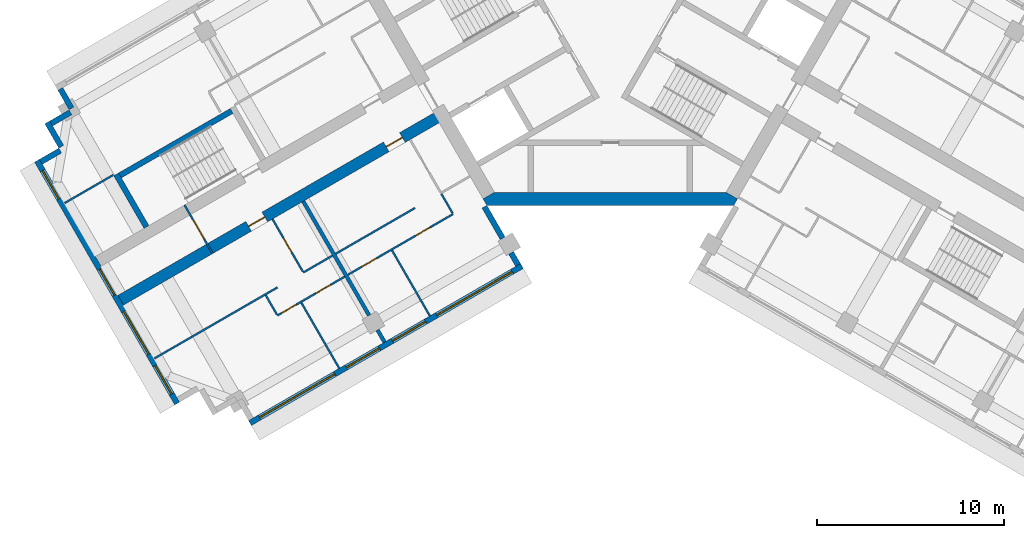
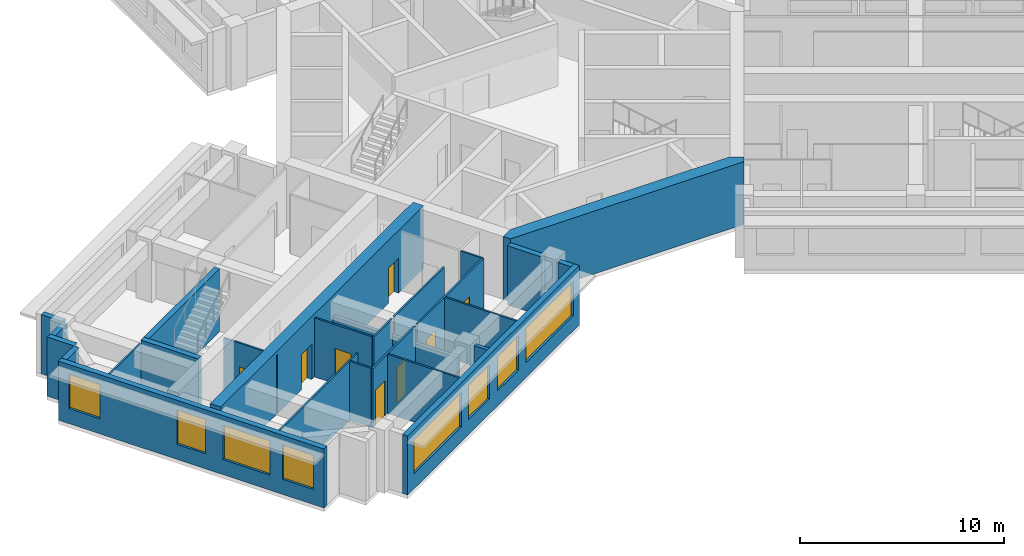
# One storey, part 2 of 10: 26 walls, 8 doors, 8 windows, 16 openings.
"""IFC4 building model written with IfcOpenShell, lengths in metres."""

import ifcopenshell
import ifcopenshell.guid

model = None  # the IFC model being written
_history = None  # IfcOwnerHistory: only IFC2X3 demands one
_inside = {}  # id of a spatial element -> (the spatial element, [elements in it])
_under = {}  # id of a project, library or spatial element -> (it, [spatial elements below it])
_declared = {}  # id of a project -> (the project, [libraries it declares])
_typed = {}  # id of a type object -> (the type object, [elements of that type])
_made_of = {}  # id of a material, layer set ... -> (it, [elements and type objects made of it])


def new_model(schema):
    """Start an empty IFC model of exactly this schema.

    Asked for "IFC4X3", IfcOpenShell would pick the latest addendum, in which some entities
    have other attributes; the version numbers below select the first issue.
    IFC2X3 requires an IfcOwnerHistory on every rooted entity: one is made here for all.
    """
    global model, _history
    if schema == "IFC4X3":
        model = ifcopenshell.file(schema_version=(4, 3, 0, 0))
    else:
        model = ifcopenshell.file(schema=schema)
    _inside.clear()
    _under.clear()
    _declared.clear()
    _typed.clear()
    _made_of.clear()
    _history = None
    if model.schema == "IFC2X3":
        org = make("IfcOrganization", Name="unknown")
        user = make(
            "IfcPersonAndOrganization",
            ThePerson=make("IfcPerson", FamilyName="unknown"),
            TheOrganization=org,
        )
        app = make(
            "IfcApplication",
            ApplicationDeveloper=org,
            Version="unknown",
            ApplicationFullName="unknown",
            ApplicationIdentifier="unknown",
        )
        _history = make(
            "IfcOwnerHistory",
            OwningUser=user,
            OwningApplication=app,
            ChangeAction="ADDED",
            CreationDate=0,
        )
    return model


def make(cls, **values):
    """One entity of the class cls with the attributes given. An attribute that is None is left unset."""
    return model.create_entity(
        cls, **{name: value for name, value in values.items() if value is not None}
    )


def rooted(cls, **values):
    """An entity with a GlobalId (a new one), such as an element, a storey or a relation."""
    return make(cls, GlobalId=ifcopenshell.guid.new(), OwnerHistory=_history, **values)


def si_unit(unit_type, name, prefix=None):
    """IfcSIUnit, for example si_unit("LENGTHUNIT", "METRE", prefix="MILLI")."""
    return make("IfcSIUnit", UnitType=unit_type, Prefix=prefix, Name=name)


def assignment(units):
    """IfcUnitAssignment: the units of a project."""
    return None if units is None else make("IfcUnitAssignment", Units=units)


def point(xyz):
    """IfcCartesianPoint."""
    return None if xyz is None else make("IfcCartesianPoint", Coordinates=xyz)


def direction(xyz):
    """IfcDirection."""
    return None if xyz is None else make("IfcDirection", DirectionRatios=xyz)


def frame(location, z_axis=None, x_axis=None):
    """IfcAxis2Placement3D, a coordinate frame: its origin and axes. An axis left out is left unset."""
    return make(
        "IfcAxis2Placement3D",
        Location=point(location),
        Axis=direction(z_axis),
        RefDirection=direction(x_axis),
    )


def frame_2d(location, x_axis=None):
    """IfcAxis2Placement2D, a coordinate frame in the plane: its origin and x axis."""
    return make(
        "IfcAxis2Placement2D", Location=point(location), RefDirection=direction(x_axis)
    )


def origin():
    """The frame at (0, 0, 0) with its axes left unset."""
    return frame((0.0, 0.0, 0.0))


def place(relative_to, where):
    """IfcLocalPlacement: puts the frame where relative to a parent placement (None: the world)."""
    return make(
        "IfcLocalPlacement", PlacementRelTo=relative_to, RelativePlacement=where
    )


def context(
    kind, dimensions, precision=None, world=None, true_north=None, identifier=None
):
    """IfcGeometricRepresentationContext, for example the 3D "Model" context."""
    return make(
        "IfcGeometricRepresentationContext",
        ContextIdentifier=identifier,
        ContextType=kind,
        CoordinateSpaceDimension=dimensions,
        Precision=precision,
        WorldCoordinateSystem=world,
        TrueNorth=true_north,
    )


def subcontext(parent, identifier, kind, view, scale=None):
    """IfcGeometricRepresentationSubContext, for example "Body" below "Model"."""
    return make(
        "IfcGeometricRepresentationSubContext",
        ContextIdentifier=identifier,
        ContextType=kind,
        ParentContext=parent,
        TargetScale=scale,
        TargetView=view,
    )


def project(units=None, contexts=None):
    """IfcProject with its units and contexts."""
    return rooted(
        "IfcProject",
        Name="project",
        RepresentationContexts=contexts,
        UnitsInContext=assignment(units),
    )


def spatial(cls, under=None, at=None, **own):
    """A site, building, storey or space (cls), placed at a placement, below another one or the project."""
    s = rooted(cls, ObjectPlacement=at, **own)
    if under is not None:
        _under.setdefault(under.id(), (under, []))[1].append(s)
    return s


def polyline(points):
    """IfcPolyline through the points."""
    return make("IfcPolyline", Points=[point(p) for p in points])


def profile(cls, at=None, kind="AREA", **sizes):
    """A parametric profile (cls). Its sizes go by their IFC names, for example OverallWidth=200.0."""
    return make(cls, ProfileType=kind, Position=at, **sizes)


def rectangle(**sizes):
    """IfcRectangleProfileDef."""
    return profile("IfcRectangleProfileDef", **sizes)


def outline(outer, holes=None, kind="AREA"):
    """IfcArbitraryClosedProfileDef: a profile drawn as a closed curve; with holes, ...WithVoids."""
    if holes is None:
        return make("IfcArbitraryClosedProfileDef", ProfileType=kind, OuterCurve=outer)
    return make(
        "IfcArbitraryProfileDefWithVoids",
        ProfileType=kind,
        OuterCurve=outer,
        InnerCurves=holes,
    )


def extrude(swept, where, along, depth):
    """IfcExtrudedAreaSolid: the profile swept, set in the frame where, extruded along a direction by depth."""
    return make(
        "IfcExtrudedAreaSolid",
        SweptArea=swept,
        Position=where,
        ExtrudedDirection=direction(along),
        Depth=depth,
    )


def shape(context_of_items, identifier, shape_type, items):
    """IfcShapeRepresentation: the items that make up one representation, for example the "Body"."""
    return make(
        "IfcShapeRepresentation",
        ContextOfItems=context_of_items,
        RepresentationIdentifier=identifier,
        RepresentationType=shape_type,
        Items=items,
    )


def material(Name=None, Category=None):
    """IfcMaterial."""
    return make("IfcMaterial", Name=Name, Category=Category)


def layer(
    of_material, thickness, ventilated=None, Name=None, Category=None, Priority=None
):
    """IfcMaterialLayer: one layer of a wall or slab, of a material (None: an air gap)."""
    return make(
        "IfcMaterialLayer",
        Material=of_material,
        LayerThickness=thickness,
        IsVentilated=ventilated,
        Name=Name,
        Category=Category,
        Priority=Priority,
    )


def layer_set(layers, Name=None):
    """IfcMaterialLayerSet."""
    return make("IfcMaterialLayerSet", MaterialLayers=layers, LayerSetName=Name)


def made_of(thing, what):
    """Note that an element or type object is made of a material, layer set ...; save() writes the relation."""
    if what is not None:
        _made_of.setdefault(what.id(), (what, []))[1].append(thing)
    return thing


def type_object(cls, material=None, **own):
    """A type object (cls), such as IfcWallType, which elements share."""
    return made_of(rooted(cls, **own), material)


def element(
    cls,
    number,
    at=None,
    inside=None,
    cuts=None,
    type_object=None,
    material=None,
    context=None,
    identifier="Body",
    shape_type=None,
    held_by="IfcProductDefinitionShape",
    body=None,
    shapes=None,
    **own,
):
    """One element of the class cls, such as IfcWall. Its Tag is "e" and its number.

    at: its placement. inside: the storey or other place that contains it. cuts: it is an
    opening in that element (IfcRelVoidsElement). A single representation is given by context,
    identifier, shape_type and body (its items); several are given by shapes. held_by: the class
    of the entity that holds the representations. save() writes the other relations.
    """
    e = rooted(cls, Tag="e%d" % number, ObjectPlacement=at, **own)
    if body is not None:
        shapes = [shape(context, identifier, shape_type, body)]
    if shapes is not None:
        e.Representation = make(held_by, Representations=shapes)
    if inside is not None:
        _inside.setdefault(inside.id(), (inside, []))[1].append(e)
    if cuts is not None:
        rooted(
            "IfcRelVoidsElement", RelatingBuildingElement=cuts, RelatedOpeningElement=e
        )
    if type_object is not None:
        _typed.setdefault(type_object.id(), (type_object, []))[1].append(e)
    return made_of(e, material)


def fill(opening, filler):
    """IfcRelFillsElement: the door or window that sits in an opening."""
    return rooted(
        "IfcRelFillsElement",
        RelatingOpeningElement=opening,
        RelatedBuildingElement=filler,
    )


def aggregate(whole, parts):
    """IfcRelAggregates: a whole, such as a stair, and the parts it consists of."""
    return rooted("IfcRelAggregates", RelatingObject=whole, RelatedObjects=parts)


def save(model, path):
    """Write the relations noted so far, then the file.

    IfcRelAggregates (storeys below a building ...), IfcRelContainedInSpatialStructure (elements
    in a storey), IfcRelDefinesByType, IfcRelAssociatesMaterial and IfcRelDeclares: one each for
    every whole, place, type object, material and project.
    """
    for whole, parts in _under.values():
        aggregate(whole, parts)
    for where, things in _inside.values():
        rooted(
            "IfcRelContainedInSpatialStructure",
            RelatedElements=things,
            RelatingStructure=where,
        )
    for kind, things in _typed.values():
        rooted("IfcRelDefinesByType", RelatedObjects=things, RelatingType=kind)
    for what, things in _made_of.values():
        rooted("IfcRelAssociatesMaterial", RelatedObjects=things, RelatingMaterial=what)
    for by, libraries in _declared.values():
        rooted("IfcRelDeclares", RelatingContext=by, RelatedDefinitions=libraries)
    model.write(path)


model = new_model("IFC4")

# Units and contexts
model_context = context("Model", 3, precision=1e-05, world=origin(), true_north=direction((0.0, 1.0)))
body_context = subcontext(model_context, "Body", "Model", "MODEL_VIEW")
ifc_project = project(units=[si_unit("LENGTHUNIT", "METRE"), si_unit("AREAUNIT", "SQUARE_METRE"), si_unit("VOLUMEUNIT", "CUBIC_METRE"), si_unit("PLANEANGLEUNIT", "RADIAN"), si_unit("MASSUNIT", "GRAM", prefix="KILO")], contexts=[model_context])

# Site, building, storey
site_placement = place(None, origin())
site = spatial("IfcSite", under=ifc_project, at=site_placement, CompositionType="ELEMENT")
building_placement = place(site_placement, origin())
building = spatial("IfcBuilding", under=site, at=building_placement, Name="Impinga Residences", CompositionType="ELEMENT")
storey_placement = place(building_placement, frame((0.0, 0.0, 229.75)))
storey = spatial("IfcBuildingStorey", under=building, at=storey_placement, Name="L57", CompositionType="ELEMENT", Elevation=229.75)

# Wall, openings, doors
ifc_material_1 = material(Name="Concrete C60/75", Category="concrete")
ifc_layer_1 = layer(ifc_material_1, 0.60009765625)
ifc_layer_set_1 = layer_set([ifc_layer_1], Name="Concrete C60/75")
wall_type_1 = type_object("IfcWallType", Name="BW3 corridor buttress wall, L46 to L73 600", PredefinedType="SHEAR", material=ifc_layer_set_1)
wall_1_placement = place(storey_placement, frame((-8.996826171875, -6.580078125, 0.0), z_axis=(0.0, 0.0, 1.0), x_axis=(-0.866030540451, -0.499991102927, 0.0)))
wall_1 = element("IfcWall", 1, at=wall_1_placement, inside=storey, type_object=wall_type_1, Name="Corridor wall BW3 WC L57", PredefinedType="SHEAR", context=body_context, shape_type="SweptSolid", body=[
    extrude(rectangle(XDim=19.849853515625, YDim=0.60009765625, at=frame_2d((9.9248046875, 0.0))), origin(), (0.0, 0.0, 1.0), 3.75),
])
opening_1_placement = place(wall_1_placement, frame((2.449951171875, 0.0, 0.0)))
opening_1 = element("IfcOpeningElement", 2, at=opening_1_placement, cuts=wall_1, Name="Opening D1", PredefinedType="OPENING", context=body_context, shape_type="SweptSolid", body=[
    extrude(rectangle(XDim=1.0, YDim=2.10009765625, at=frame_2d((0.5, 1.050048828125))), frame((0.0, 0.31005859375, 0.0), z_axis=(0.0, -1.0, 0.0), x_axis=(1.0, 0.0, 0.0)), (0.0, 0.0, 1.0), 0.6201171875),
])
opening_2_placement = place(wall_1_placement, frame((10.949951171875, 0.0, 0.0)))
opening_2 = element("IfcOpeningElement", 3, at=opening_2_placement, cuts=wall_1, Name="Opening D1", PredefinedType="OPENING", context=body_context, shape_type="SweptSolid", body=[
    extrude(rectangle(XDim=1.0, YDim=2.10009765625, at=frame_2d((0.5, 1.050048828125))), frame((0.0, 0.31005859375, 0.0), z_axis=(0.0, -1.0, 0.0), x_axis=(1.0, 0.0, 0.0)), (0.0, 0.0, 1.0), 0.6201171875),
])
ifc_material_2 = material(Name="Timber door set", Category="wood")
door_type_1 = type_object("IfcDoorType", Name="D1 apartment entrance door 1000x2100", OperationType="SINGLE_SWING_LEFT", PredefinedType="DOOR", material=ifc_material_2)
door_1_placement = place(opening_1_placement, origin())
door_1 = element("IfcDoor", 4, at=door_1_placement, inside=storey, type_object=door_type_1, Name="Apartment L57-WA1 entrance", OperationType="SINGLE_SWING_LEFT", OverallHeight=2.10009765625, OverallWidth=1.0, PredefinedType="DOOR", context=body_context, shape_type="SweptSolid", body=[
    extrude(rectangle(XDim=1.0, YDim=2.10009765625, at=frame_2d((0.5, 1.050048828125))), frame((0.0, 0.02490234375, 0.0), z_axis=(0.0, -1.0, 0.0), x_axis=(1.0, 0.0, 0.0)), (0.0, 0.0, 1.0), 0.050048828125),
])
fill(opening_1, door_1)
door_2_placement = place(opening_2_placement, origin())
door_2 = element("IfcDoor", 5, at=door_2_placement, inside=storey, type_object=door_type_1, Name="Apartment L57-WA2 entrance", OperationType="SINGLE_SWING_RIGHT", OverallHeight=2.10009765625, OverallWidth=1.0, PredefinedType="DOOR", context=body_context, shape_type="SweptSolid", body=[
    extrude(rectangle(XDim=1.0, YDim=2.10009765625, at=frame_2d((0.5, 1.050048828125))), frame((0.0, 0.02490234375, 0.0), z_axis=(0.0, -1.0, 0.0), x_axis=(1.0, 0.0, 0.0)), (0.0, 0.0, 1.0), 0.050048828125),
])
fill(opening_2, door_2)

# Wall, opening, door
ifc_material_3 = material(Name="Concrete blockwork", Category="masonry")
ifc_layer_2 = layer(ifc_material_3, 0.10009765625)
ifc_layer_set_2 = layer_set([ifc_layer_2], Name="CP1 core room partition, blockwork 100")
wall_type_2 = type_object("IfcWallType", Name="CP1 core room partition, blockwork 100", PredefinedType="PARTITIONING", material=ifc_layer_set_2)
wall_2_placement = place(storey_placement, frame((-21.2744140625, -14.014892578125, 0.0), z_axis=(0.0, 0.0, 1.0), x_axis=(-0.499990139034, 0.866031096941, 0.0)))
wall_2 = element("IfcWall", 6, at=wall_2_placement, inside=storey, type_object=wall_type_2, Name="Core room partition, blockwork L57:W:LNG", PredefinedType="PARTITIONING", context=body_context, shape_type="SweptSolid", body=[
    extrude(rectangle(XDim=3.0, YDim=0.10009765625, at=frame_2d((1.5, 0.0))), origin(), (0.0, 0.0, 1.0), 3.530029296875),
])
opening_3_placement = place(wall_2_placement, frame((0.89990234375, 0.0, 0.0)))
opening_3 = element("IfcOpeningElement", 7, at=opening_3_placement, cuts=wall_2, Name="Opening D3", PredefinedType="OPENING", context=body_context, shape_type="SweptSolid", body=[
    extrude(rectangle(XDim=1.199951171875, YDim=2.10009765625, at=frame_2d((0.60009765625, 1.050048828125))), frame((0.0, 0.06005859375, 0.0), z_axis=(0.0, -1.0, 0.0), x_axis=(1.0, 0.0, 0.0)), (0.0, 0.0, 1.0), 0.1201171875),
])
door_type_2 = type_object("IfcDoorType", Name="D3 room door, leaf and a half 1200x2100", OperationType="DOUBLE_SWING_LEFT", PredefinedType="DOOR", material=ifc_material_2)
door_3_placement = place(opening_3_placement, origin())
door_3 = element("IfcDoor", 8, at=door_3_placement, inside=storey, type_object=door_type_2, Name="Residents' lounge door W", OperationType="DOUBLE_SWING_LEFT", OverallHeight=2.10009765625, OverallWidth=1.199951171875, PredefinedType="DOOR", context=body_context, shape_type="SweptSolid", body=[
    extrude(rectangle(XDim=1.199951171875, YDim=2.10009765625, at=frame_2d((0.60009765625, 1.050048828125))), frame((0.0, 0.02490234375, 0.0), z_axis=(0.0, -1.0, 0.0), x_axis=(1.0, 0.0, 0.0)), (0.0, 0.0, 1.0), 0.050048828125),
])
fill(opening_3, door_3)

# Walls
ifc_material_4 = material(Name="Terracotta rainscreen on blockwork", Category="masonry")
ifc_layer_3 = layer(ifc_material_4, 0.300048828125)
ifc_layer_set_3 = layer_set([ifc_layer_3], Name="EW1 external wall, terracotta rainscreen on blockwork 300")
wall_type_3 = type_object("IfcWallType", Name="EW1 external wall, terracotta rainscreen on blockwork 300", PredefinedType="SOLIDWALL", material=ifc_layer_set_3)
wall_3_placement = place(storey_placement, frame((-6.72998046875, -11.506591796875, 0.0), z_axis=(0.0, 0.0, 1.0), x_axis=(0.500043961785, -0.866000020948, 0.0)))
element("IfcWall", 9, at=wall_3_placement, inside=storey, type_object=wall_type_3, Name="External wall EW1 L57", PredefinedType="SOLIDWALL", context=body_context, shape_type="SweptSolid", body=[
    extrude(rectangle(XDim=1.949951171875, YDim=0.300048828125, at=frame_2d((0.97509765625, 0.0))), origin(), (0.0, 0.0, 1.0), 3.530029296875),
])
wall_4_placement = place(storey_placement, frame((-5.304931640625, -13.974609375, 0.0), z_axis=(0.0, 0.0, 1.0), x_axis=(0.499919672301, -0.866071776036, 0.0)))
element("IfcWall", 10, at=wall_4_placement, inside=storey, type_object=wall_type_3, Name="External wall EW1 L57", PredefinedType="SOLIDWALL", context=body_context, shape_type="SweptSolid", body=[
    extrude(rectangle(XDim=0.75, YDim=0.300048828125, at=frame_2d((0.375, 0.0))), origin(), (0.0, 0.0, 1.0), 3.530029296875),
])

# Wall, openings, windows
wall_5_placement = place(storey_placement, frame((-4.72509765625, -14.67919921875, 0.0), z_axis=(0.0, 0.0, 1.0), x_axis=(-0.86602562146, -0.499999622975, 0.0)))
wall_5 = element("IfcWall", 11, at=wall_5_placement, inside=storey, type_object=wall_type_3, Name="External wall EW1 L57", PredefinedType="SOLIDWALL", context=body_context, shape_type="SweptSolid", body=[
    extrude(rectangle(XDim=16.7998046875, YDim=0.300048828125, at=frame_2d((8.39990234375, 0.0))), origin(), (0.0, 0.0, 1.0), 3.530029296875),
])
opening_4_placement = place(wall_5_placement, frame((0.60009765625, 0.0, 0.89990234375)))
opening_4 = element("IfcOpeningElement", 12, at=opening_4_placement, cuts=wall_5, Name="Opening W10", PredefinedType="OPENING", context=body_context, shape_type="SweptSolid", body=[
    extrude(rectangle(XDim=4.64990234375, YDim=2.050048828125, at=frame_2d((2.324951171875, 1.02490234375))), frame((0.0, 0.159912109375, 0.0), z_axis=(0.0, -1.0, 0.0), x_axis=(1.0, 0.0, 0.0)), (0.0, 0.0, 1.0), 0.320068359375),
])
opening_5_placement = place(wall_5_placement, frame((5.949951171875, 0.0, 0.89990234375)))
opening_5 = element("IfcOpeningElement", 13, at=opening_5_placement, cuts=wall_5, Name="Opening W14", PredefinedType="OPENING", context=body_context, shape_type="SweptSolid", body=[
    extrude(rectangle(XDim=2.050048828125, YDim=2.050048828125, at=frame_2d((1.02490234375, 1.02490234375))), frame((0.0, 0.159912109375, 0.0), z_axis=(0.0, -1.0, 0.0), x_axis=(1.0, 0.0, 0.0)), (0.0, 0.0, 1.0), 0.320068359375),
])
opening_6_placement = place(wall_5_placement, frame((8.800048828125, 0.0, 0.89990234375)))
opening_6 = element("IfcOpeningElement", 14, at=opening_6_placement, cuts=wall_5, Name="Opening W14", PredefinedType="OPENING", context=body_context, shape_type="SweptSolid", body=[
    extrude(rectangle(XDim=2.050048828125, YDim=2.050048828125, at=frame_2d((1.02490234375, 1.02490234375))), frame((0.0, 0.159912109375, 0.0), z_axis=(0.0, -1.0, 0.0), x_axis=(1.0, 0.0, 0.0)), (0.0, 0.0, 1.0), 0.320068359375),
])
opening_7_placement = place(wall_5_placement, frame((11.550048828125, 0.0, 0.89990234375)))
opening_7 = element("IfcOpeningElement", 15, at=opening_7_placement, cuts=wall_5, Name="Opening W10", PredefinedType="OPENING", context=body_context, shape_type="SweptSolid", body=[
    extrude(rectangle(XDim=4.64990234375, YDim=2.050048828125, at=frame_2d((2.324951171875, 1.02490234375))), frame((0.0, 0.159912109375, 0.0), z_axis=(0.0, -1.0, 0.0), x_axis=(1.0, 0.0, 0.0)), (0.0, 0.0, 1.0), 0.320068359375),
])
ifc_material_5 = material(Name="Aluminium window, clear double glazing", Category="aluminium")
window_type_1 = type_object("IfcWindowType", Name="W10 ribbon window 4650x2050", PartitioningType="SINGLE_PANEL", PredefinedType="WINDOW", material=ifc_material_5)
window_1_placement = place(opening_4_placement, origin())
window_1 = element("IfcWindow", 16, at=window_1_placement, inside=storey, type_object=window_type_1, Name="Window L57", OverallHeight=2.050048828125, OverallWidth=4.64990234375, PartitioningType="SINGLE_PANEL", PredefinedType="WINDOW", context=body_context, shape_type="SweptSolid", body=[
    extrude(rectangle(XDim=4.64990234375, YDim=2.050048828125, at=frame_2d((2.324951171875, 1.02490234375))), frame((0.0, 0.030029296875, 0.0), z_axis=(0.0, -1.0, 0.0), x_axis=(1.0, 0.0, 0.0)), (0.0, 0.0, 1.0), 0.06005859375),
])
fill(opening_4, window_1)
window_2_placement = place(opening_7_placement, origin())
window_2 = element("IfcWindow", 17, at=window_2_placement, inside=storey, type_object=window_type_1, Name="Window L57", OverallHeight=2.050048828125, OverallWidth=4.64990234375, PartitioningType="SINGLE_PANEL", PredefinedType="WINDOW", context=body_context, shape_type="SweptSolid", body=[
    extrude(rectangle(XDim=4.64990234375, YDim=2.050048828125, at=frame_2d((2.324951171875, 1.02490234375))), frame((0.0, 0.030029296875, 0.0), z_axis=(0.0, -1.0, 0.0), x_axis=(1.0, 0.0, 0.0)), (0.0, 0.0, 1.0), 0.06005859375),
])
fill(opening_7, window_2)
window_type_2 = type_object("IfcWindowType", Name="W14 ribbon window 2050x2050", PartitioningType="SINGLE_PANEL", PredefinedType="WINDOW", material=ifc_material_5)
window_3_placement = place(opening_5_placement, origin())
window_3 = element("IfcWindow", 18, at=window_3_placement, inside=storey, type_object=window_type_2, Name="Window L57", OverallHeight=2.050048828125, OverallWidth=2.050048828125, PartitioningType="SINGLE_PANEL", PredefinedType="WINDOW", context=body_context, shape_type="SweptSolid", body=[
    extrude(rectangle(XDim=2.050048828125, YDim=2.050048828125, at=frame_2d((1.02490234375, 1.02490234375))), frame((0.0, 0.030029296875, 0.0), z_axis=(0.0, -1.0, 0.0), x_axis=(1.0, 0.0, 0.0)), (0.0, 0.0, 1.0), 0.06005859375),
])
fill(opening_5, window_3)
window_4_placement = place(opening_6_placement, origin())
window_4 = element("IfcWindow", 19, at=window_4_placement, inside=storey, type_object=window_type_2, Name="Window L57", OverallHeight=2.050048828125, OverallWidth=2.050048828125, PartitioningType="SINGLE_PANEL", PredefinedType="WINDOW", context=body_context, shape_type="SweptSolid", body=[
    extrude(rectangle(XDim=2.050048828125, YDim=2.050048828125, at=frame_2d((1.02490234375, 1.02490234375))), frame((0.0, 0.030029296875, 0.0), z_axis=(0.0, -1.0, 0.0), x_axis=(1.0, 0.0, 0.0)), (0.0, 0.0, 1.0), 0.06005859375),
])
fill(opening_6, window_4)

wall_6_placement = place(storey_placement, frame((-23.16748046875, -22.035888671875, 0.0), z_axis=(0.0, 0.0, 1.0), x_axis=(-0.500004234368, 0.866022959057, 0.0)))
wall_6 = element("IfcWall", 20, at=wall_6_placement, inside=storey, type_object=wall_type_3, Name="External wall EW1 L57", PredefinedType="SOLIDWALL", context=body_context, shape_type="SweptSolid", body=[
    extrude(rectangle(XDim=14.999755859375, YDim=0.300048828125, at=frame_2d((7.5, 0.0))), origin(), (0.0, 0.0, 1.0), 3.530029296875),
])
opening_8_placement = place(wall_6_placement, frame((0.60009765625, 0.0, 0.89990234375)))
opening_8 = element("IfcOpeningElement", 21, at=opening_8_placement, cuts=wall_6, Name="Opening W1", PredefinedType="OPENING", context=body_context, shape_type="SweptSolid", body=[
    extrude(rectangle(XDim=1.75, YDim=2.050048828125, at=frame_2d((0.875, 1.02490234375))), frame((0.0, 0.159912109375, 0.0), z_axis=(0.0, -1.0, 0.0), x_axis=(1.0, 0.0, 0.0)), (0.0, 0.0, 1.0), 0.320068359375),
])
opening_9_placement = place(wall_6_placement, frame((3.050048828125, 0.0, 0.89990234375)))
opening_9 = element("IfcOpeningElement", 22, at=opening_9_placement, cuts=wall_6, Name="Opening W18", PredefinedType="OPENING", context=body_context, shape_type="SweptSolid", body=[
    extrude(rectangle(XDim=2.64990234375, YDim=2.050048828125, at=frame_2d((1.324951171875, 1.02490234375))), frame((0.0, 0.159912109375, 0.0), z_axis=(0.0, -1.0, 0.0), x_axis=(1.0, 0.0, 0.0)), (0.0, 0.0, 1.0), 0.320068359375),
])
opening_10_placement = place(wall_6_placement, frame((6.699951171875, 0.0, 0.89990234375)))
opening_10 = element("IfcOpeningElement", 23, at=opening_10_placement, cuts=wall_6, Name="Opening W19", PredefinedType="OPENING", context=body_context, shape_type="SweptSolid", body=[
    extrude(rectangle(XDim=1.60009765625, YDim=2.050048828125, at=frame_2d((0.800048828125, 1.02490234375))), frame((0.0, 0.159912109375, 0.0), z_axis=(0.0, -1.0, 0.0), x_axis=(1.0, 0.0, 0.0)), (0.0, 0.0, 1.0), 0.320068359375),
])
opening_11_placement = place(wall_6_placement, frame((12.64990234375, 0.0, 0.89990234375)))
opening_11 = element("IfcOpeningElement", 24, at=opening_11_placement, cuts=wall_6, Name="Opening W1", PredefinedType="OPENING", context=body_context, shape_type="SweptSolid", body=[
    extrude(rectangle(XDim=1.75, YDim=2.050048828125, at=frame_2d((0.875, 1.02490234375))), frame((0.0, 0.159912109375, 0.0), z_axis=(0.0, -1.0, 0.0), x_axis=(1.0, 0.0, 0.0)), (0.0, 0.0, 1.0), 0.320068359375),
])
window_type_3 = type_object("IfcWindowType", Name="W1 ribbon window 1750x2050", PartitioningType="SINGLE_PANEL", PredefinedType="WINDOW", material=ifc_material_5)
window_5_placement = place(opening_8_placement, origin())
window_5 = element("IfcWindow", 25, at=window_5_placement, inside=storey, type_object=window_type_3, Name="Window L57", OverallHeight=2.050048828125, OverallWidth=1.75, PartitioningType="SINGLE_PANEL", PredefinedType="WINDOW", context=body_context, shape_type="SweptSolid", body=[
    extrude(rectangle(XDim=1.75, YDim=2.050048828125, at=frame_2d((0.875, 1.02490234375))), frame((0.0, 0.030029296875, 0.0), z_axis=(0.0, -1.0, 0.0), x_axis=(1.0, 0.0, 0.0)), (0.0, 0.0, 1.0), 0.06005859375),
])
fill(opening_8, window_5)
window_6_placement = place(opening_11_placement, origin())
window_6 = element("IfcWindow", 26, at=window_6_placement, inside=storey, type_object=window_type_3, Name="Window L57", OverallHeight=2.050048828125, OverallWidth=1.75, PartitioningType="SINGLE_PANEL", PredefinedType="WINDOW", context=body_context, shape_type="SweptSolid", body=[
    extrude(rectangle(XDim=1.75, YDim=2.050048828125, at=frame_2d((0.875, 1.02490234375))), frame((0.0, 0.030029296875, 0.0), z_axis=(0.0, -1.0, 0.0), x_axis=(1.0, 0.0, 0.0)), (0.0, 0.0, 1.0), 0.06005859375),
])
fill(opening_11, window_6)
window_type_4 = type_object("IfcWindowType", Name="W18 ribbon window 2650x2050", PartitioningType="SINGLE_PANEL", PredefinedType="WINDOW", material=ifc_material_5)
window_7_placement = place(opening_9_placement, origin())
window_7 = element("IfcWindow", 27, at=window_7_placement, inside=storey, type_object=window_type_4, Name="Window L57", OverallHeight=2.050048828125, OverallWidth=2.64990234375, PartitioningType="SINGLE_PANEL", PredefinedType="WINDOW", context=body_context, shape_type="SweptSolid", body=[
    extrude(rectangle(XDim=2.64990234375, YDim=2.050048828125, at=frame_2d((1.324951171875, 1.02490234375))), frame((0.0, 0.030029296875, 0.0), z_axis=(0.0, -1.0, 0.0), x_axis=(1.0, 0.0, 0.0)), (0.0, 0.0, 1.0), 0.06005859375),
])
fill(opening_9, window_7)
window_type_5 = type_object("IfcWindowType", Name="W19 ribbon window 1600x2050", PartitioningType="SINGLE_PANEL", PredefinedType="WINDOW", material=ifc_material_5)
window_8_placement = place(opening_10_placement, origin())
window_8 = element("IfcWindow", 28, at=window_8_placement, inside=storey, type_object=window_type_5, Name="Window L57", OverallHeight=2.050048828125, OverallWidth=1.60009765625, PartitioningType="SINGLE_PANEL", PredefinedType="WINDOW", context=body_context, shape_type="SweptSolid", body=[
    extrude(rectangle(XDim=1.60009765625, YDim=2.050048828125, at=frame_2d((0.800048828125, 1.02490234375))), frame((0.0, 0.030029296875, 0.0), z_axis=(0.0, -1.0, 0.0), x_axis=(1.0, 0.0, 0.0)), (0.0, 0.0, 1.0), 0.06005859375),
])
fill(opening_10, window_8)

# Walls
wall_7_placement = place(storey_placement, frame((-30.46240234375, -9.1005859375, 0.0), z_axis=(0.0, 0.0, 1.0), x_axis=(0.865971243484, 0.500093796661, 0.0)))
element("IfcWall", 29, at=wall_7_placement, inside=storey, type_object=wall_type_3, Name="External wall EW1 L57", PredefinedType="SOLIDWALL", context=body_context, shape_type="SweptSolid", body=[
    extrude(rectangle(XDim=1.195068359375, YDim=0.300048828125, at=frame_2d((0.59765625, 0.0))), origin(), (0.0, 0.0, 1.0), 3.530029296875),
])
wall_8_placement = place(storey_placement, frame((-29.368408203125, -8.295654296875, 0.0), z_axis=(0.0, 0.0, 1.0), x_axis=(-0.499990139034, 0.866031096941, 0.0)))
element("IfcWall", 30, at=wall_8_placement, inside=storey, type_object=wall_type_3, Name="External wall EW1 L57", PredefinedType="SOLIDWALL", context=body_context, shape_type="SweptSolid", body=[
    extrude(rectangle(XDim=1.5, YDim=0.300048828125, at=frame_2d((0.75, 0.0))), origin(), (0.0, 0.0, 1.0), 3.530029296875),
])
wall_9_placement = place(storey_placement, frame((-29.91357421875, -7.051513671875, 0.0), z_axis=(0.0, 0.0, 1.0), x_axis=(0.865971243484, 0.500093796661, 0.0)))
element("IfcWall", 31, at=wall_9_placement, inside=storey, type_object=wall_type_3, Name="External wall EW1 L57", PredefinedType="SOLIDWALL", context=body_context, shape_type="SweptSolid", body=[
    extrude(rectangle(XDim=1.195068359375, YDim=0.300048828125, at=frame_2d((0.59765625, 0.0))), origin(), (0.0, 0.0, 1.0), 3.530029296875),
])
wall_10_placement = place(storey_placement, frame((-28.8193359375, -6.24658203125, 0.0), z_axis=(0.0, 0.0, 1.0), x_axis=(-0.500033551112, 0.866006032174, 0.0)))
element("IfcWall", 32, at=wall_10_placement, inside=storey, type_object=wall_type_3, Name="External wall EW1 L57", PredefinedType="SOLIDWALL", context=body_context, shape_type="SweptSolid", body=[
    extrude(rectangle(XDim=1.2001953125, YDim=0.300048828125, at=frame_2d((0.60009765625, 0.0))), origin(), (0.0, 0.0, 1.0), 3.530029296875),
])
ifc_material_6 = material(Name="Gypsum board on steel studs", Category="steel")
ifc_layer_4 = layer(ifc_material_6, 0.10009765625)
ifc_layer_set_4 = layer_set([ifc_layer_4], Name="Gypsum board on steel studs")
wall_type_4 = type_object("IfcWallType", Name="IP1 partition 100", PredefinedType="PARTITIONING", material=ifc_layer_set_4)
wall_11_placement = place(storey_placement, frame((-10.444580078125, -11.57275390625, 0.0), z_axis=(0.0, 0.0, 1.0), x_axis=(-0.866023786258, -0.500002801628, 0.0)))
element("IfcWall", 33, at=wall_11_placement, inside=storey, type_object=wall_type_4, Name="Partition L57-WA1:DIV1", PredefinedType="PARTITIONING", context=body_context, shape_type="SweptSolid", body=[
    extrude(rectangle(XDim=4.89990234375, YDim=0.10009765625, at=frame_2d((2.449951171875, 0.0))), origin(), (0.0, 0.0, 1.0), 3.530029296875),
])

# Wall, openings, doors
wall_12_placement = place(storey_placement, frame((-8.408935546875, -11.8984375, 0.0), z_axis=(0.0, 0.0, 1.0), x_axis=(-0.866024837091, -0.50000098154, 0.0)))
wall_12 = element("IfcWall", 34, at=wall_12_placement, inside=storey, type_object=wall_type_4, Name="Partition L57-WA1:STRIP", PredefinedType="PARTITIONING", context=body_context, shape_type="SweptSolid", body=[
    extrude(rectangle(XDim=6.5, YDim=0.10009765625, at=frame_2d((3.25, 0.0))), origin(), (0.0, 0.0, 1.0), 3.530029296875),
])
opening_12_placement = place(wall_12_placement, frame((1.425048828125, 0.0, 0.0)))
opening_12 = element("IfcOpeningElement", 35, at=opening_12_placement, cuts=wall_12, Name="Opening D2", PredefinedType="OPENING", context=body_context, shape_type="SweptSolid", body=[
    extrude(rectangle(XDim=0.89990234375, YDim=2.10009765625, at=frame_2d((0.449951171875, 1.050048828125))), frame((0.0, 0.06005859375, 0.0), z_axis=(0.0, -1.0, 0.0), x_axis=(1.0, 0.0, 0.0)), (0.0, 0.0, 1.0), 0.1201171875),
])
opening_13_placement = place(wall_12_placement, frame((4.72509765625, 0.0, 0.0)))
opening_13 = element("IfcOpeningElement", 36, at=opening_13_placement, cuts=wall_12, Name="Opening D2", PredefinedType="OPENING", context=body_context, shape_type="SweptSolid", body=[
    extrude(rectangle(XDim=0.89990234375, YDim=2.10009765625, at=frame_2d((0.449951171875, 1.050048828125))), frame((0.0, 0.06005859375, 0.0), z_axis=(0.0, -1.0, 0.0), x_axis=(1.0, 0.0, 0.0)), (0.0, 0.0, 1.0), 0.1201171875),
])
door_type_3 = type_object("IfcDoorType", Name="D2 internal door 900x2100", OperationType="SINGLE_SWING_LEFT", PredefinedType="DOOR", material=ifc_material_2)
door_4_placement = place(opening_12_placement, origin())
door_4 = element("IfcDoor", 37, at=door_4_placement, inside=storey, type_object=door_type_3, Name="Apartment L57-WA1 room door", OperationType="SINGLE_SWING_LEFT", OverallHeight=2.10009765625, OverallWidth=0.89990234375, PredefinedType="DOOR", context=body_context, shape_type="SweptSolid", body=[
    extrude(rectangle(XDim=0.89990234375, YDim=2.10009765625, at=frame_2d((0.449951171875, 1.050048828125))), frame((0.0, 0.02490234375, 0.0), z_axis=(0.0, -1.0, 0.0), x_axis=(1.0, 0.0, 0.0)), (0.0, 0.0, 1.0), 0.050048828125),
])
fill(opening_12, door_4)
door_5_placement = place(opening_13_placement, origin())
door_5 = element("IfcDoor", 38, at=door_5_placement, inside=storey, type_object=door_type_3, Name="Apartment L57-WA1 room door", OperationType="SINGLE_SWING_RIGHT", OverallHeight=2.10009765625, OverallWidth=0.89990234375, PredefinedType="DOOR", context=body_context, shape_type="SweptSolid", body=[
    extrude(rectangle(XDim=0.89990234375, YDim=2.10009765625, at=frame_2d((0.449951171875, 1.050048828125))), frame((0.0, 0.02490234375, 0.0), z_axis=(0.0, -1.0, 0.0), x_axis=(1.0, 0.0, 0.0)), (0.0, 0.0, 1.0), 0.050048828125),
])
fill(opening_13, door_5)

# Walls
wall_13_placement = place(storey_placement, frame((-9.033935546875, -10.81591796875, 0.0), z_axis=(0.0, 0.0, 1.0), x_axis=(0.500033551112, -0.866006032174, 0.0)))
element("IfcWall", 39, at=wall_13_placement, inside=storey, type_object=wall_type_4, Name="Partition L57-WA1:SE0", PredefinedType="PARTITIONING", context=body_context, shape_type="SweptSolid", body=[
    extrude(rectangle(XDim=1.2001953125, YDim=0.10009765625, at=frame_2d((0.60009765625, 0.0))), origin(), (0.0, 0.0, 1.0), 3.530029296875),
])
wall_14_placement = place(storey_placement, frame((-11.6748046875, -13.841796875, 0.0), z_axis=(0.0, 0.0, 1.0), x_axis=(0.500035537042, -0.866004885491, 0.0)))
element("IfcWall", 40, at=wall_14_placement, inside=storey, type_object=wall_type_4, Name="Partition L57-WA1:OB1", PredefinedType="PARTITIONING", context=body_context, shape_type="SweptSolid", body=[
    extrude(rectangle(XDim=4.050048828125, YDim=0.10009765625, at=frame_2d((2.02490234375, 0.0))), origin(), (0.0, 0.0, 1.0), 3.530029296875),
])
wall_15_placement = place(storey_placement, frame((-14.861328125, -14.122802734375, 0.0), z_axis=(0.0, 0.0, 1.0), x_axis=(-0.866047807691, -0.499961193289, 0.0)))
element("IfcWall", 41, at=wall_15_placement, inside=storey, type_object=wall_type_4, Name="Partition L57-WA2:DIV0", PredefinedType="PARTITIONING", context=body_context, shape_type="SweptSolid", body=[
    extrude(rectangle(XDim=1.800048828125, YDim=0.10009765625, at=frame_2d((0.89990234375, 0.0))), origin(), (0.0, 0.0, 1.0), 3.530029296875),
])
wall_16_placement = place(storey_placement, frame((-17.8056640625, -15.82275390625, 0.0), z_axis=(0.0, 0.0, 1.0), x_axis=(-0.866022425744, -0.500005158081, 0.0)))
element("IfcWall", 42, at=wall_16_placement, inside=storey, type_object=wall_type_4, Name="Partition L57-WA2:DIV1", PredefinedType="PARTITIONING", context=body_context, shape_type="SweptSolid", body=[
    extrude(rectangle(XDim=7.60009765625, YDim=0.10009765625, at=frame_2d((3.800048828125, 0.0))), origin(), (0.0, 0.0, 1.0), 3.530029296875),
])

# Wall, openings, doors
wall_17_placement = place(storey_placement, frame((-14.211181640625, -15.24853515625, 0.0), z_axis=(0.0, 0.0, 1.0), x_axis=(-0.86602981871, -0.499992353047, 0.0)))
wall_17 = element("IfcWall", 43, at=wall_17_placement, inside=storey, type_object=wall_type_4, Name="Partition L57-WA2:STRIP", PredefinedType="PARTITIONING", context=body_context, shape_type="SweptSolid", body=[
    extrude(rectangle(XDim=4.14990234375, YDim=0.10009765625, at=frame_2d((2.074951171875, 0.0))), origin(), (0.0, 0.0, 1.0), 3.530029296875),
])
opening_14_placement = place(wall_17_placement, frame((0.875, 0.0, 0.0)))
opening_14 = element("IfcOpeningElement", 44, at=opening_14_placement, cuts=wall_17, Name="Opening D2", PredefinedType="OPENING", context=body_context, shape_type="SweptSolid", body=[
    extrude(rectangle(XDim=0.89990234375, YDim=2.10009765625, at=frame_2d((0.449951171875, 1.050048828125))), frame((0.0, 0.06005859375, 0.0), z_axis=(0.0, -1.0, 0.0), x_axis=(1.0, 0.0, 0.0)), (0.0, 0.0, 1.0), 0.1201171875),
])
opening_15_placement = place(wall_17_placement, frame((3.0, 0.0, 0.0)))
opening_15 = element("IfcOpeningElement", 45, at=opening_15_placement, cuts=wall_17, Name="Opening D2", PredefinedType="OPENING", context=body_context, shape_type="SweptSolid", body=[
    extrude(rectangle(XDim=0.89990234375, YDim=2.10009765625, at=frame_2d((0.449951171875, 1.050048828125))), frame((0.0, 0.06005859375, 0.0), z_axis=(0.0, -1.0, 0.0), x_axis=(1.0, 0.0, 0.0)), (0.0, 0.0, 1.0), 0.1201171875),
])
door_6_placement = place(opening_14_placement, origin())
door_6 = element("IfcDoor", 46, at=door_6_placement, inside=storey, type_object=door_type_3, Name="Apartment L57-WA2 room door", OperationType="SINGLE_SWING_LEFT", OverallHeight=2.10009765625, OverallWidth=0.89990234375, PredefinedType="DOOR", context=body_context, shape_type="SweptSolid", body=[
    extrude(rectangle(XDim=0.89990234375, YDim=2.10009765625, at=frame_2d((0.449951171875, 1.050048828125))), frame((0.0, 0.02490234375, 0.0), z_axis=(0.0, -1.0, 0.0), x_axis=(1.0, 0.0, 0.0)), (0.0, 0.0, 1.0), 0.050048828125),
])
fill(opening_14, door_6)
door_7_placement = place(opening_15_placement, origin())
door_7 = element("IfcDoor", 47, at=door_7_placement, inside=storey, type_object=door_type_3, Name="Apartment L57-WA2 room door", OperationType="SINGLE_SWING_RIGHT", OverallHeight=2.10009765625, OverallWidth=0.89990234375, PredefinedType="DOOR", context=body_context, shape_type="SweptSolid", body=[
    extrude(rectangle(XDim=0.89990234375, YDim=2.10009765625, at=frame_2d((0.449951171875, 1.050048828125))), frame((0.0, 0.02490234375, 0.0), z_axis=(0.0, -1.0, 0.0), x_axis=(1.0, 0.0, 0.0)), (0.0, 0.0, 1.0), 0.050048828125),
])
fill(opening_15, door_7)

# Wall
wall_18_placement = place(storey_placement, frame((-18.43017578125, -16.240966796875, 0.0), z_axis=(0.0, 0.0, 1.0), x_axis=(0.499880961361, -0.866094119867, 0.0)))
element("IfcWall", 48, at=wall_18_placement, inside=storey, type_object=wall_type_4, Name="Partition L57-WA2:SE1", PredefinedType="PARTITIONING", context=body_context, shape_type="SweptSolid", body=[
    extrude(rectangle(XDim=1.199951171875, YDim=0.10009765625, at=frame_2d((0.60009765625, 0.0))), origin(), (0.0, 0.0, 1.0), 3.530029296875),
])

# Wall, opening, door
wall_19_placement = place(storey_placement, frame((-18.070068359375, -12.164794921875, 0.0), z_axis=(0.0, 0.0, 1.0), x_axis=(0.499984717929, -0.866034226713, 0.0)))
wall_19 = element("IfcWall", 49, at=wall_19_placement, inside=storey, type_object=wall_type_4, Name="Partition L57-WA2:IB1", PredefinedType="PARTITIONING", context=body_context, shape_type="SweptSolid", body=[
    extrude(rectangle(XDim=3.25, YDim=0.10009765625, at=frame_2d((1.625, 0.0))), origin(), (0.0, 0.0, 1.0), 3.530029296875),
])
opening_16_placement = place(wall_19_placement, frame((1.175048828125, 0.0, 0.0)))
opening_16 = element("IfcOpeningElement", 50, at=opening_16_placement, cuts=wall_19, Name="Opening D2", PredefinedType="OPENING", context=body_context, shape_type="SweptSolid", body=[
    extrude(rectangle(XDim=0.89990234375, YDim=2.10009765625, at=frame_2d((0.449951171875, 1.050048828125))), frame((0.0, 0.06005859375, 0.0), z_axis=(0.0, -1.0, 0.0), x_axis=(1.0, 0.0, 0.0)), (0.0, 0.0, 1.0), 0.1201171875),
])
door_8_placement = place(opening_16_placement, origin())
door_8 = element("IfcDoor", 51, at=door_8_placement, inside=storey, type_object=door_type_3, Name="Apartment L57-WA2 bathroom door", OperationType="SINGLE_SWING_LEFT", OverallHeight=2.10009765625, OverallWidth=0.89990234375, PredefinedType="DOOR", context=body_context, shape_type="SweptSolid", body=[
    extrude(rectangle(XDim=0.89990234375, YDim=2.10009765625, at=frame_2d((0.449951171875, 1.050048828125))), frame((0.0, 0.02490234375, 0.0), z_axis=(0.0, -1.0, 0.0), x_axis=(1.0, 0.0, 0.0)), (0.0, 0.0, 1.0), 0.050048828125),
])
fill(opening_16, door_8)

# Walls
wall_20_placement = place(storey_placement, frame((-16.5244140625, -16.641845703125, 0.0), z_axis=(0.0, 0.0, 1.0), x_axis=(0.499990325971, -0.866030989016, 0.0)))
element("IfcWall", 52, at=wall_20_placement, inside=storey, type_object=wall_type_4, Name="Partition L57-WA2:OB1", PredefinedType="PARTITIONING", context=body_context, shape_type="SweptSolid", body=[
    extrude(rectangle(XDim=4.0498046875, YDim=0.10009765625, at=frame_2d((2.02490234375, 0.0))), origin(), (0.0, 0.0, 1.0), 3.530029296875),
])
wall_21_placement = place(storey_placement, frame((-26.58935546875, -9.808837890625, 0.0), z_axis=(0.0, 0.0, 1.0), x_axis=(-0.866031096941, -0.499990139034, 0.0)))
element("IfcWall", 53, at=wall_21_placement, inside=storey, type_object=wall_type_4, Name="Partition L57-WF1:DIV2", PredefinedType="PARTITIONING", context=body_context, shape_type="SweptSolid", body=[
    extrude(rectangle(XDim=3.0, YDim=0.10009765625, at=frame_2d((1.5, 0.0))), origin(), (0.0, 0.0, 1.0), 3.530029296875),
])
ifc_layer_5 = layer(ifc_material_3, 0.199951171875)
ifc_layer_set_5 = layer_set([ifc_layer_5], Name="PW1 party wall between apartments 200")
wall_type_5 = type_object("IfcWallType", Name="PW1 party wall between apartments 200", PredefinedType="SOLIDWALL", material=ifc_layer_set_5)
wall_22_placement = place(storey_placement, frame((-16.424560546875, -11.21484375, 0.0), z_axis=(0.0, 0.0, 1.0), x_axis=(0.499990246421, -0.866031034943, 0.0)))
element("IfcWall", 54, at=wall_22_placement, inside=storey, type_object=wall_type_5, Name="Party wall between apartments L57-WA1:PARTY", PredefinedType="SOLIDWALL", context=body_context, shape_type="SweptSolid", body=[
    extrude(rectangle(XDim=7.050048828125, YDim=0.199951171875, at=frame_2d((3.52490234375, 0.0))), origin(), (0.0, 0.0, 1.0), 2.47998046875),
])
wall_23_placement = place(storey_placement, frame((-12.44970703125, -18.099609375, 0.0), z_axis=(0.0, 0.0, 1.0), x_axis=(0.499919672301, -0.866071776036, 0.0)))
element("IfcWall", 55, at=wall_23_placement, inside=storey, type_object=wall_type_5, Name="Party wall between apartments L57-WA1:PARTYb", PredefinedType="SOLIDWALL", context=body_context, shape_type="SweptSolid", body=[
    extrude(rectangle(XDim=0.75, YDim=0.199951171875, at=frame_2d((0.375, 0.0))), origin(), (0.0, 0.0, 1.0), 3.530029296875),
])
ifc_layer_6 = layer(ifc_material_1, 0.300048828125)
ifc_layer_set_6 = layer_set([ifc_layer_6], Name="Concrete C60/75")
wall_type_6 = type_object("IfcWallType", Name="SE1 wing stair enclosure wall 300", PredefinedType="SOLIDWALL", material=ifc_layer_set_6)
wall_24_placement = place(storey_placement, frame((-24.8095703125, -12.591796875, 0.0), z_axis=(0.0, 0.0, 1.0), x_axis=(-0.499984717929, 0.866034226713, 0.0)))
element("IfcWall", 56, at=wall_24_placement, inside=storey, type_object=wall_type_6, Name="Stair enclosure wall SE1 W END1 L57", PredefinedType="SOLIDWALL", context=body_context, shape_type="SweptSolid", body=[
    extrude(rectangle(XDim=3.25, YDim=0.300048828125, at=frame_2d((1.625, 0.0))), origin(), (0.0, 0.0, 1.0), 3.75),
])
wall_25_placement = place(storey_placement, frame((-20.254150390625, -6.382080078125, 0.0), z_axis=(0.0, 0.0, 1.0), x_axis=(-0.866020008033, -0.500009345598, 0.0)))
element("IfcWall", 57, at=wall_25_placement, inside=storey, type_object=wall_type_6, Name="Stair enclosure wall SE1 W OUT L57", PredefinedType="SOLIDWALL", context=body_context, shape_type="SweptSolid", body=[
    extrude(rectangle(XDim=6.899658203125, YDim=0.300048828125, at=frame_2d((3.44970703125, 0.0))), origin(), (0.0, 0.0, 1.0), 3.75),
])
ifc_layer_7 = layer(ifc_material_1, 0.699951171875)
ifc_layer_set_7 = layer_set([ifc_layer_7], Name="Concrete C60/75")
wall_type_7 = type_object("IfcWallType", Name="SW3 core wall 700", PredefinedType="SHEAR", material=ifc_layer_set_7)
wall_26_placement = place(storey_placement, origin())
element("IfcWall", 58, at=wall_26_placement, inside=storey, type_object=wall_type_7, Name="Core wall SW3 N:EXPOSED L57", PredefinedType="SHEAR", context=body_context, shape_type="SweptSolid", body=[
    extrude(outline(polyline([(-6.60009765625, -11.431640625), (6.60009765625, -11.431640625), (6.802001953125, -11.08154296875), (6.19580078125, -10.7314453125), (-6.19580078125, -10.7314453125), (-6.802001953125, -11.08154296875), (-6.60009765625, -11.431640625)])), origin(), (0.0, 0.0, 1.0), 3.75),
])

save(model, "model.ifc")
